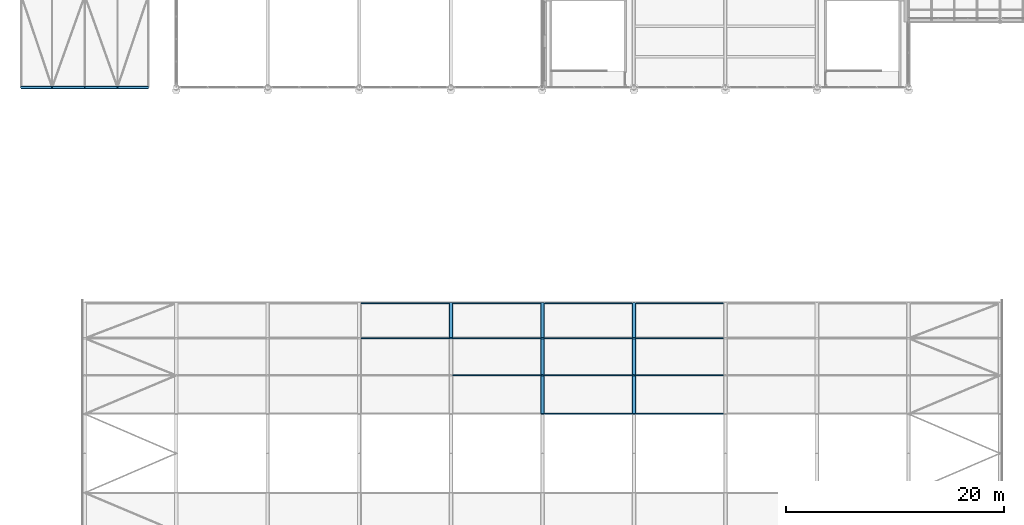
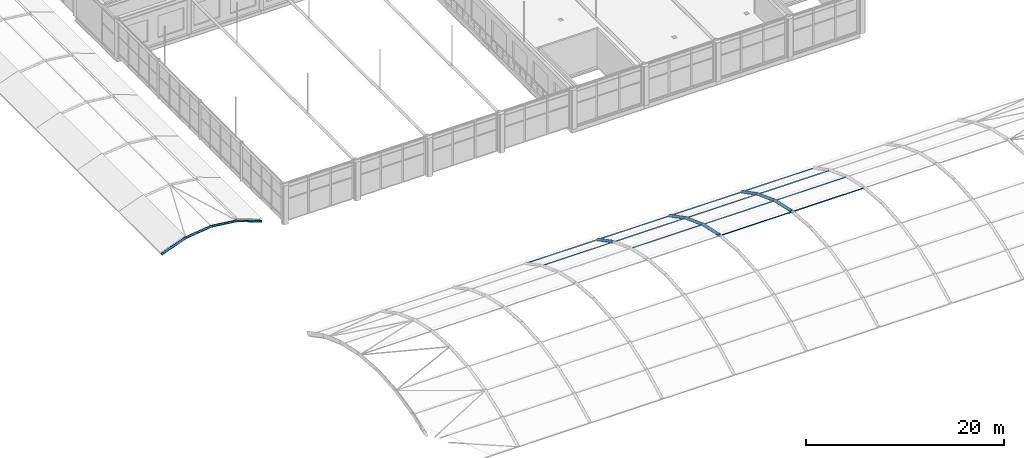
# One storey, part 17 of 167: 24 members.
"""IFC4 building model written with IfcOpenShell, lengths in metres."""

import ifcopenshell
import ifcopenshell.guid

model = None  # the IFC model being written
_history = None  # IfcOwnerHistory: only IFC2X3 demands one
_inside = {}  # id of a spatial element -> (the spatial element, [elements in it])
_under = {}  # id of a project, library or spatial element -> (it, [spatial elements below it])
_declared = {}  # id of a project -> (the project, [libraries it declares])
_typed = {}  # id of a type object -> (the type object, [elements of that type])
_made_of = {}  # id of a material, layer set ... -> (it, [elements and type objects made of it])


def new_model(schema):
    """Start an empty IFC model of exactly this schema.

    Asked for "IFC4X3", IfcOpenShell would pick the latest addendum, in which some entities
    have other attributes; the version numbers below select the first issue.
    IFC2X3 requires an IfcOwnerHistory on every rooted entity: one is made here for all.
    """
    global model, _history
    if schema == "IFC4X3":
        model = ifcopenshell.file(schema_version=(4, 3, 0, 0))
    else:
        model = ifcopenshell.file(schema=schema)
    _inside.clear()
    _under.clear()
    _declared.clear()
    _typed.clear()
    _made_of.clear()
    _history = None
    if model.schema == "IFC2X3":
        org = make("IfcOrganization", Name="unknown")
        user = make(
            "IfcPersonAndOrganization",
            ThePerson=make("IfcPerson", FamilyName="unknown"),
            TheOrganization=org,
        )
        app = make(
            "IfcApplication",
            ApplicationDeveloper=org,
            Version="unknown",
            ApplicationFullName="unknown",
            ApplicationIdentifier="unknown",
        )
        _history = make(
            "IfcOwnerHistory",
            OwningUser=user,
            OwningApplication=app,
            ChangeAction="ADDED",
            CreationDate=0,
        )
    return model


def make(cls, **values):
    """One entity of the class cls with the attributes given. An attribute that is None is left unset."""
    return model.create_entity(
        cls, **{name: value for name, value in values.items() if value is not None}
    )


def rooted(cls, **values):
    """An entity with a GlobalId (a new one), such as an element, a storey or a relation."""
    return make(cls, GlobalId=ifcopenshell.guid.new(), OwnerHistory=_history, **values)


def si_unit(unit_type, name, prefix=None):
    """IfcSIUnit, for example si_unit("LENGTHUNIT", "METRE", prefix="MILLI")."""
    return make("IfcSIUnit", UnitType=unit_type, Prefix=prefix, Name=name)


def assignment(units):
    """IfcUnitAssignment: the units of a project."""
    return None if units is None else make("IfcUnitAssignment", Units=units)


def point(xyz):
    """IfcCartesianPoint."""
    return None if xyz is None else make("IfcCartesianPoint", Coordinates=xyz)


def direction(xyz):
    """IfcDirection."""
    return None if xyz is None else make("IfcDirection", DirectionRatios=xyz)


def frame(location, z_axis=None, x_axis=None):
    """IfcAxis2Placement3D, a coordinate frame: its origin and axes. An axis left out is left unset."""
    return make(
        "IfcAxis2Placement3D",
        Location=point(location),
        Axis=direction(z_axis),
        RefDirection=direction(x_axis),
    )


def frame_2d(location, x_axis=None):
    """IfcAxis2Placement2D, a coordinate frame in the plane: its origin and x axis."""
    return make(
        "IfcAxis2Placement2D", Location=point(location), RefDirection=direction(x_axis)
    )


def origin():
    """The frame at (0, 0, 0) with its axes left unset."""
    return frame((0.0, 0.0, 0.0))


def origin_2d():
    """The frame at (0, 0) in the plane with its x axis left unset."""
    return frame_2d((0.0, 0.0))


def place(relative_to, where):
    """IfcLocalPlacement: puts the frame where relative to a parent placement (None: the world)."""
    return make(
        "IfcLocalPlacement", PlacementRelTo=relative_to, RelativePlacement=where
    )


def context(
    kind, dimensions, precision=None, world=None, true_north=None, identifier=None
):
    """IfcGeometricRepresentationContext, for example the 3D "Model" context."""
    return make(
        "IfcGeometricRepresentationContext",
        ContextIdentifier=identifier,
        ContextType=kind,
        CoordinateSpaceDimension=dimensions,
        Precision=precision,
        WorldCoordinateSystem=world,
        TrueNorth=true_north,
    )


def subcontext(parent, identifier, kind, view, scale=None):
    """IfcGeometricRepresentationSubContext, for example "Body" below "Model"."""
    return make(
        "IfcGeometricRepresentationSubContext",
        ContextIdentifier=identifier,
        ContextType=kind,
        ParentContext=parent,
        TargetScale=scale,
        TargetView=view,
    )


def project(units=None, contexts=None):
    """IfcProject with its units and contexts."""
    return rooted(
        "IfcProject",
        Name="project",
        RepresentationContexts=contexts,
        UnitsInContext=assignment(units),
    )


def spatial(cls, under=None, at=None, **own):
    """A site, building, storey or space (cls), placed at a placement, below another one or the project."""
    s = rooted(cls, ObjectPlacement=at, **own)
    if under is not None:
        _under.setdefault(under.id(), (under, []))[1].append(s)
    return s


def profile(cls, at=None, kind="AREA", **sizes):
    """A parametric profile (cls). Its sizes go by their IFC names, for example OverallWidth=200.0."""
    return make(cls, ProfileType=kind, Position=at, **sizes)


def hollow_circle(**sizes):
    """IfcCircleHollowProfileDef."""
    return profile("IfcCircleHollowProfileDef", **sizes)


def extrude(swept, where, along, depth):
    """IfcExtrudedAreaSolid: the profile swept, set in the frame where, extruded along a direction by depth."""
    return make(
        "IfcExtrudedAreaSolid",
        SweptArea=swept,
        Position=where,
        ExtrudedDirection=direction(along),
        Depth=depth,
    )


def shape(context_of_items, identifier, shape_type, items):
    """IfcShapeRepresentation: the items that make up one representation, for example the "Body"."""
    return make(
        "IfcShapeRepresentation",
        ContextOfItems=context_of_items,
        RepresentationIdentifier=identifier,
        RepresentationType=shape_type,
        Items=items,
    )


def material(Name=None, Category=None):
    """IfcMaterial."""
    return make("IfcMaterial", Name=Name, Category=Category)


def material_profile(
    of_material, cross_section, Name=None, Category=None, Priority=None
):
    """IfcMaterialProfile: a cross section and its material."""
    return make(
        "IfcMaterialProfile",
        Name=Name,
        Material=of_material,
        Profile=cross_section,
        Priority=Priority,
        Category=Category,
    )


def profile_set(profiles, Name=None, composite=None):
    """IfcMaterialProfileSet."""
    return make(
        "IfcMaterialProfileSet",
        Name=Name,
        MaterialProfiles=profiles,
        CompositeProfile=composite,
    )


def made_of(thing, what):
    """Note that an element or type object is made of a material, layer set ...; save() writes the relation."""
    if what is not None:
        _made_of.setdefault(what.id(), (what, []))[1].append(thing)
    return thing


def type_object(cls, material=None, **own):
    """A type object (cls), such as IfcWallType, which elements share."""
    return made_of(rooted(cls, **own), material)


def element(
    cls,
    number,
    at=None,
    inside=None,
    cuts=None,
    type_object=None,
    material=None,
    context=None,
    identifier="Body",
    shape_type=None,
    held_by="IfcProductDefinitionShape",
    body=None,
    shapes=None,
    **own,
):
    """One element of the class cls, such as IfcWall. Its Tag is "e" and its number.

    at: its placement. inside: the storey or other place that contains it. cuts: it is an
    opening in that element (IfcRelVoidsElement). A single representation is given by context,
    identifier, shape_type and body (its items); several are given by shapes. held_by: the class
    of the entity that holds the representations. save() writes the other relations.
    """
    e = rooted(cls, Tag="e%d" % number, ObjectPlacement=at, **own)
    if body is not None:
        shapes = [shape(context, identifier, shape_type, body)]
    if shapes is not None:
        e.Representation = make(held_by, Representations=shapes)
    if inside is not None:
        _inside.setdefault(inside.id(), (inside, []))[1].append(e)
    if cuts is not None:
        rooted(
            "IfcRelVoidsElement", RelatingBuildingElement=cuts, RelatedOpeningElement=e
        )
    if type_object is not None:
        _typed.setdefault(type_object.id(), (type_object, []))[1].append(e)
    return made_of(e, material)


def aggregate(whole, parts):
    """IfcRelAggregates: a whole, such as a stair, and the parts it consists of."""
    return rooted("IfcRelAggregates", RelatingObject=whole, RelatedObjects=parts)


def save(model, path):
    """Write the relations noted so far, then the file.

    IfcRelAggregates (storeys below a building ...), IfcRelContainedInSpatialStructure (elements
    in a storey), IfcRelDefinesByType, IfcRelAssociatesMaterial and IfcRelDeclares: one each for
    every whole, place, type object, material and project.
    """
    for whole, parts in _under.values():
        aggregate(whole, parts)
    for where, things in _inside.values():
        rooted(
            "IfcRelContainedInSpatialStructure",
            RelatedElements=things,
            RelatingStructure=where,
        )
    for kind, things in _typed.values():
        rooted("IfcRelDefinesByType", RelatedObjects=things, RelatingType=kind)
    for what, things in _made_of.values():
        rooted("IfcRelAssociatesMaterial", RelatedObjects=things, RelatingMaterial=what)
    for by, libraries in _declared.values():
        rooted("IfcRelDeclares", RelatingContext=by, RelatedDefinitions=libraries)
    model.write(path)


model = new_model("IFC4")

# Units and contexts
model_context = context("Model", 3, precision=1e-05, world=origin(), true_north=direction((0.0, 1.0)))
body_context = subcontext(model_context, "Body", "Model", "MODEL_VIEW")
ifc_project = project(units=[si_unit("LENGTHUNIT", "METRE"), si_unit("AREAUNIT", "SQUARE_METRE"), si_unit("VOLUMEUNIT", "CUBIC_METRE"), si_unit("PLANEANGLEUNIT", "RADIAN"), si_unit("MASSUNIT", "GRAM", prefix="KILO")], contexts=[model_context])

# Site, building, storey
site_placement = place(None, origin())
site = spatial("IfcSite", under=ifc_project, at=site_placement, CompositionType="ELEMENT")
building_placement = place(site_placement, origin())
building = spatial("IfcBuilding", under=site, at=building_placement, Name="Catenary Quay Ferry Terminal", CompositionType="ELEMENT")
storey_placement = place(building_placement, frame((0.0, 0.0, 6.0)))
storey = spatial("IfcBuildingStorey", under=building, at=storey_placement, Name="L01", CompositionType="ELEMENT", Elevation=6.0)

# Members
ifc_material_1 = material(Name="Steel S355", Category="steel")
ifc_material_profile_1 = material_profile(ifc_material_1, hollow_circle(Radius=0.06982421875, WallThickness=0.008056640625, at=origin_2d()), Name="CHS 139.7x8")
ifc_profile_set_1 = profile_set([ifc_material_profile_1], Name="Steel S355")
member_type_1 = type_object("IfcMemberType", Name="PU1 CHS 139.7x8", PredefinedType="PURLIN", material=ifc_profile_set_1)
for number, where, z_axis, x_axis, name in (
    (1, (42.172119140625, 44.162109375, 2.68408203125), (1.0, 0.0, 0.0), (0.0, 1.0, 0.0), "Purlin PU-CA-04-08"),
    (2, (42.172119140625, 47.382080078125, 1.012939453125), (1.0, 0.0, 0.0), (0.0, 1.0, 0.0), "Purlin PU-CA-04-09"),
    (3, (50.572021484375, 40.760009765625, 3.945068359375), (1.0, 0.0, 0.0), (0.0, 1.0, 0.0), "Purlin PU-CA-05-07"),
    (4, (50.572021484375, 44.162109375, 2.68408203125), (1.0, 0.0, 0.0), (0.0, 1.0, 0.0), "Purlin PU-CA-05-08"),
    (5, (50.572021484375, 47.382080078125, 1.012939453125), (1.0, 0.0, 0.0), (0.0, 1.0, 0.0), "Purlin PU-CA-05-09"),
):
    element("IfcMember", number, at=place(storey_placement, frame(where, z_axis=z_axis, x_axis=x_axis)), inside=storey, type_object=member_type_1, Name=name, PredefinedType="PURLIN", context=body_context, shape_type="SweptSolid", body=[
        extrude(hollow_circle(Radius=0.06982421875, WallThickness=0.008056640625, at=origin_2d()), origin(), (0.0, 0.0, 1.0), 8.055908203125),
    ])
for number, where, z_axis, x_axis, name in (
    (6, (58.971923828125, 37.218017578125, 4.73193359375), (1.0, 0.0, 0.0), (0.0, 1.0, 0.0), "Purlin PU-CA-06-06"),
    (7, (58.971923828125, 40.760009765625, 3.945068359375), (1.0, 0.0, 0.0), (0.0, 1.0, 0.0), "Purlin PU-CA-06-07"),
    (8, (58.971923828125, 44.162109375, 2.68408203125), (1.0, 0.0, 0.0), (0.0, 1.0, 0.0), "Purlin PU-CA-06-08"),
    (9, (58.971923828125, 47.382080078125, 1.012939453125), (1.0, 0.0, 0.0), (0.0, 1.0, 0.0), "Purlin PU-CA-06-09"),
):
    element("IfcMember", number, at=place(storey_placement, frame(where, z_axis=z_axis, x_axis=x_axis)), inside=storey, type_object=member_type_1, Name=name, PredefinedType="PURLIN", context=body_context, shape_type="SweptSolid", body=[
        extrude(hollow_circle(Radius=0.06982421875, WallThickness=0.008056640625, at=origin_2d()), origin(), (0.0, 0.0, 1.0), 8.05615234375),
    ])
for number, where, z_axis, x_axis, name in (
    (10, (67.3720703125, 37.218017578125, 4.73193359375), (1.0, 0.0, 0.0), (0.0, 1.0, 0.0), "Purlin PU-CA-07-06"),
    (11, (67.3720703125, 40.760009765625, 3.945068359375), (1.0, 0.0, 0.0), (0.0, 1.0, 0.0), "Purlin PU-CA-07-07"),
    (12, (67.3720703125, 44.162109375, 2.68408203125), (1.0, 0.0, 0.0), (0.0, 1.0, 0.0), "Purlin PU-CA-07-08"),
    (13, (67.3720703125, 47.382080078125, 1.012939453125), (1.0, 0.0, 0.0), (0.0, 1.0, 0.0), "Purlin PU-CA-07-09"),
):
    element("IfcMember", number, at=place(storey_placement, frame(where, z_axis=z_axis, x_axis=x_axis)), inside=storey, type_object=member_type_1, Name=name, PredefinedType="PURLIN", context=body_context, shape_type="SweptSolid", body=[
        extrude(hollow_circle(Radius=0.06982421875, WallThickness=0.008056640625, at=origin_2d()), origin(), (0.0, 0.0, 1.0), 8.055908203125),
    ])
ifc_material_2 = material(Name="Steel S355", Category="steel")
ifc_material_profile_2 = material_profile(ifc_material_2, hollow_circle(Radius=0.177734375, WallThickness=0.012451171875, at=origin_2d()), Name="CHS 355.6x12.5")
ifc_profile_set_2 = profile_set([ifc_material_profile_2], Name="Steel S355")
member_type_2 = type_object("IfcMemberType", Name="VR1 CHS 355.6x12.5", PredefinedType="RAFTER", material=ifc_profile_set_2)
member_1_placement = place(storey_placement, frame((50.39990234375, 44.162109375, 2.68408203125), z_axis=(0.0, 0.887582334138, -0.460649107376), x_axis=(-1.0, 0.0, 0.0)))
element("IfcMember", 14, at=member_1_placement, inside=storey, type_object=member_type_2, Name="rib CA-05-09", PredefinedType="RAFTER", context=body_context, shape_type="SweptSolid", body=[
    extrude(hollow_circle(Radius=0.177734375, WallThickness=0.012451171875, at=origin_2d()), origin(), (0.0, 0.0, 1.0), 3.627685546875),
])
member_2_placement = place(storey_placement, frame((58.800048828125, 37.218017578125, 4.73193359375), z_axis=(0.0, 0.976201307112, -0.216866336698), x_axis=(-1.0, 0.0, 0.0)))
element("IfcMember", 15, at=member_2_placement, inside=storey, type_object=member_type_2, Name="rib CA-06-07", PredefinedType="RAFTER", context=body_context, shape_type="SweptSolid", body=[
    extrude(hollow_circle(Radius=0.177734375, WallThickness=0.012451171875, at=origin_2d()), origin(), (0.0, 0.0, 1.0), 3.62841796875),
])
member_3_placement = place(storey_placement, frame((58.800048828125, 40.760009765625, 3.945068359375), z_axis=(0.0, 0.93766350596, -0.347544456999), x_axis=(-1.0, 0.0, 0.0)))
element("IfcMember", 16, at=member_3_placement, inside=storey, type_object=member_type_2, Name="rib CA-06-08", PredefinedType="RAFTER", context=body_context, shape_type="SweptSolid", body=[
    extrude(hollow_circle(Radius=0.177734375, WallThickness=0.012451171875, at=origin_2d()), origin(), (0.0, 0.0, 1.0), 3.628173828125),
])
member_4_placement = place(storey_placement, frame((58.800048828125, 44.162109375, 2.68408203125), z_axis=(0.0, 0.887582334138, -0.460649107376), x_axis=(-1.0, 0.0, 0.0)))
element("IfcMember", 17, at=member_4_placement, inside=storey, type_object=member_type_2, Name="rib CA-06-09", PredefinedType="RAFTER", context=body_context, shape_type="SweptSolid", body=[
    extrude(hollow_circle(Radius=0.177734375, WallThickness=0.012451171875, at=origin_2d()), origin(), (0.0, 0.0, 1.0), 3.627685546875),
])
member_5_placement = place(storey_placement, frame((67.199951171875, 37.218017578125, 4.73193359375), z_axis=(0.0, 0.976201307112, -0.216866336698), x_axis=(-1.0, 0.0, 0.0)))
element("IfcMember", 18, at=member_5_placement, inside=storey, type_object=member_type_2, Name="rib CA-07-07", PredefinedType="RAFTER", context=body_context, shape_type="SweptSolid", body=[
    extrude(hollow_circle(Radius=0.177734375, WallThickness=0.012451171875, at=origin_2d()), origin(), (0.0, 0.0, 1.0), 3.62841796875),
])
member_6_placement = place(storey_placement, frame((67.199951171875, 40.760009765625, 3.945068359375), z_axis=(0.0, 0.93766350596, -0.347544456999), x_axis=(-1.0, 0.0, 0.0)))
element("IfcMember", 19, at=member_6_placement, inside=storey, type_object=member_type_2, Name="rib CA-07-08", PredefinedType="RAFTER", context=body_context, shape_type="SweptSolid", body=[
    extrude(hollow_circle(Radius=0.177734375, WallThickness=0.012451171875, at=origin_2d()), origin(), (0.0, 0.0, 1.0), 3.628173828125),
])
member_7_placement = place(storey_placement, frame((67.199951171875, 44.162109375, 2.68408203125), z_axis=(0.0, 0.887582334138, -0.460649107376), x_axis=(-1.0, 0.0, 0.0)))
element("IfcMember", 20, at=member_7_placement, inside=storey, type_object=member_type_2, Name="rib CA-07-09", PredefinedType="RAFTER", context=body_context, shape_type="SweptSolid", body=[
    extrude(hollow_circle(Radius=0.177734375, WallThickness=0.012451171875, at=origin_2d()), origin(), (0.0, 0.0, 1.0), 3.627685546875),
])
ifc_material_3 = material(Name="Steel S355", Category="steel")
ifc_material_profile_3 = material_profile(ifc_material_3, hollow_circle(Radius=0.136474609375, WallThickness=0.012451171875, at=origin_2d()), Name="CHS 273x12.5")
ifc_profile_set_3 = profile_set([ifc_material_profile_3], Name="Steel S355")
member_type_3 = type_object("IfcMemberType", Name="VR2 CHS 273x12.5", PredefinedType="RAFTER", material=ifc_profile_set_3)
member_8_placement = place(storey_placement, frame((10.970947265625, 67.199951171875, 0.98388671875), z_axis=(0.937940762231, 0.0, 0.346795511139), x_axis=(0.0, 1.0, 0.0)))
element("IfcMember", 21, at=member_8_placement, inside=storey, type_object=member_type_3, Name="rib FC-01-02", PredefinedType="RAFTER", context=body_context, shape_type="SweptSolid", body=[
    extrude(hollow_circle(Radius=0.136474609375, WallThickness=0.012451171875, at=origin_2d()), origin(), (0.0, 0.0, 1.0), 3.01953125),
])
for number, where, z_axis, x_axis, name in (
    (22, (13.802978515625, 67.199951171875, 2.031005859375), (0.992509955251, 0.0, 0.122163778298), (0.0, 1.0, 0.0), "rib FC-01-03"),
    (23, (16.800048828125, 67.199951171875, 2.39990234375), (0.992509955251, 0.0, -0.122163778298), (0.0, 1.0, 0.0), "rib FC-01-04"),
):
    element("IfcMember", number, at=place(storey_placement, frame(where, z_axis=z_axis, x_axis=x_axis)), inside=storey, type_object=member_type_3, Name=name, PredefinedType="RAFTER", context=body_context, shape_type="SweptSolid", body=[
        extrude(hollow_circle(Radius=0.136474609375, WallThickness=0.012451171875, at=origin_2d()), origin(), (0.0, 0.0, 1.0), 3.019775390625),
    ])
member_9_placement = place(storey_placement, frame((19.797119140625, 67.199951171875, 2.031005859375), z_axis=(0.93793103669, 0.0, -0.346821813636), x_axis=(0.0, 1.0, 0.0)))
element("IfcMember", 24, at=member_9_placement, inside=storey, type_object=member_type_3, Name="rib FC-01-05", PredefinedType="RAFTER", context=body_context, shape_type="SweptSolid", body=[
    extrude(hollow_circle(Radius=0.136474609375, WallThickness=0.012451171875, at=origin_2d()), origin(), (0.0, 0.0, 1.0), 3.019287109375),
])

save(model, "model.ifc")
